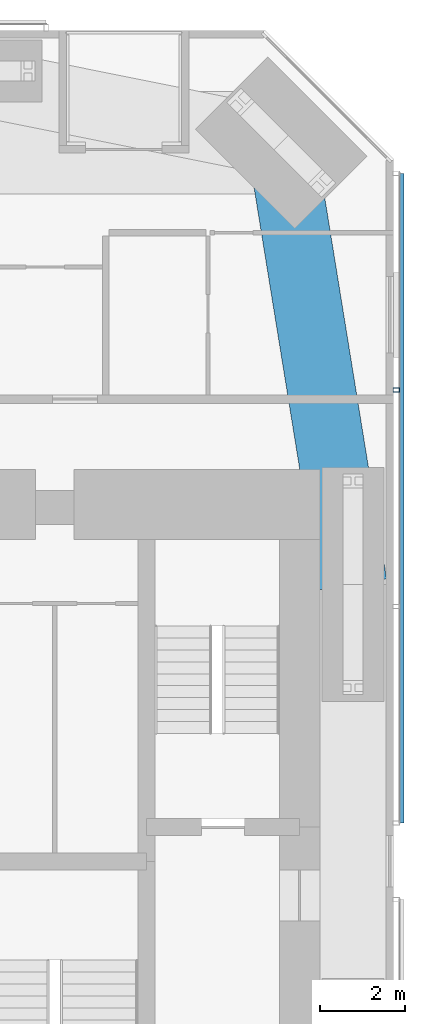
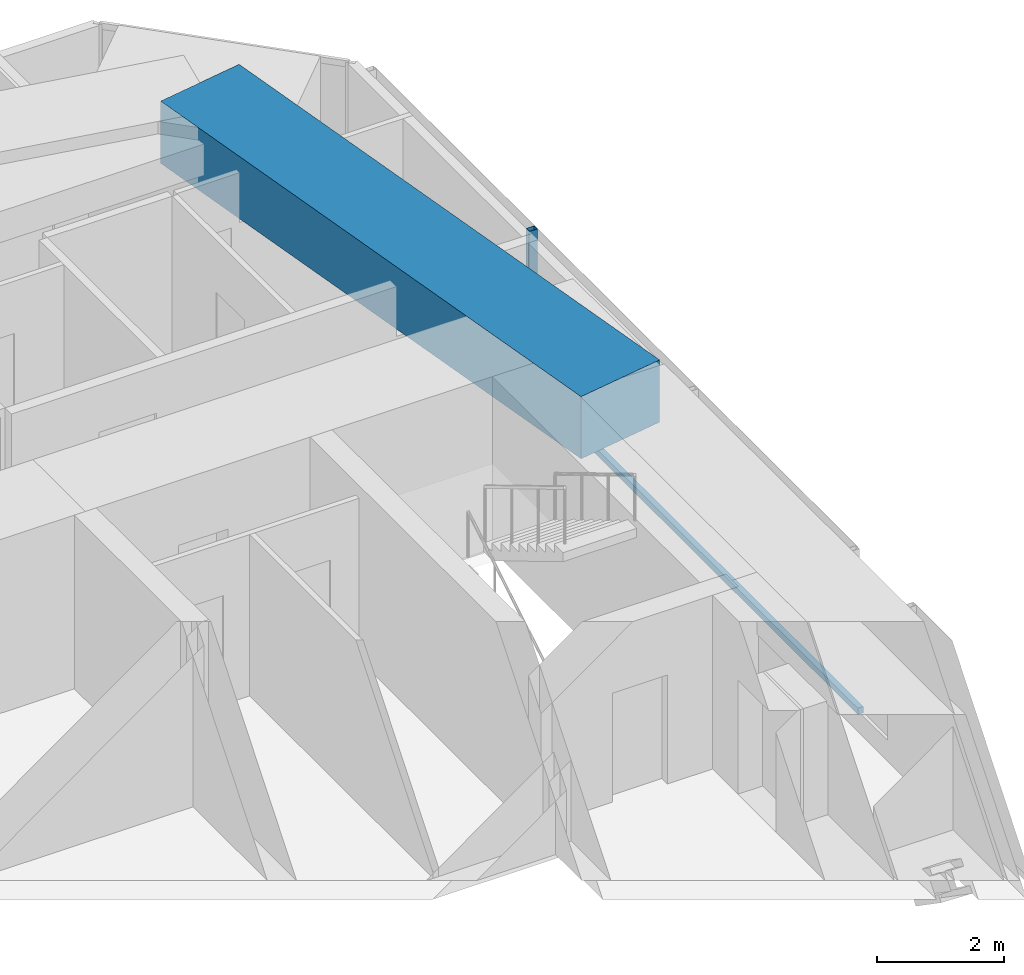
# One storey, part 11 of 24: 2 members, 1 beam, 1 element without a shape of its own.
"""IFC4 building model written with IfcOpenShell, lengths in metres."""

from ifc_helpers import new_model, si_unit, direction, frame, origin, origin_2d, place, context, subcontext, project, spatial, rectangle, hollow_rectangle, extrude, material, material_profile, profile_set, type_object, element, aggregate, save


model = new_model("IFC4")

# Units and contexts
model_context = context("Model", 3, precision=1e-05, world=origin(), true_north=direction((0.0, 1.0)))
body_context = subcontext(model_context, "Body", "Model", "MODEL_VIEW")
ifc_project = project(units=[si_unit("LENGTHUNIT", "METRE"), si_unit("AREAUNIT", "SQUARE_METRE"), si_unit("VOLUMEUNIT", "CUBIC_METRE"), si_unit("PLANEANGLEUNIT", "RADIAN"), si_unit("MASSUNIT", "GRAM", prefix="KILO")], contexts=[model_context])

# Site, building, storey
site_placement = place(None, origin())
site = spatial("IfcSite", under=ifc_project, at=site_placement, CompositionType="ELEMENT")
building_placement = place(site_placement, origin())
building = spatial("IfcBuilding", under=site, at=building_placement, Name="Jalousie Tower", CompositionType="ELEMENT")
storey_placement = place(building_placement, frame((0.0, 0.0, 47.800048828125)))
storey = spatial("IfcBuildingStorey", under=building, at=storey_placement, Name="L12", CompositionType="ELEMENT", Elevation=47.800048828125)

# Beam
ifc_material_1 = material(Name="Concrete f'c 40 MPa", Category="concrete")
ifc_material_profile_1 = material_profile(ifc_material_1, rectangle(XDim=1.60009765625, YDim=1.199951171875, at=origin_2d()), Name="RC 1600x1200")
ifc_profile_set_1 = profile_set([ifc_material_profile_1], Name="Concrete f'c 40 MPa")
beam_type = type_object("IfcBeamType", Name="RC BEAM 1600x1200", PredefinedType="BEAM", material=ifc_profile_set_1)
beam_placement = place(storey_placement, frame((45.050048828125, 25.0, 2.75), z_axis=(-0.160070546476, 0.987105577003, 0.0), x_axis=(-0.987105577003, -0.160070546476, 0.0)))
element("IfcBeam", 1, at=beam_placement, inside=storey, type_object=beam_type, Name="Edge band beam 07-08 under L13", PredefinedType="BEAM", context=body_context, shape_type="SweptSolid", body=[
    extrude(rectangle(XDim=1.60009765625, YDim=1.199951171875, at=origin_2d()), origin(), (0.0, 0.0, 1.0), 10.504150390625),
])

# Curtain wall, members
ifc_material_2 = material(Name="Perforated aluminium sheet", Category="aluminium")
curtain_wall_type = type_object("IfcCurtainWallType", Name="SOLAR SCREEN SS-1", PredefinedType="USERDEFINED", material=ifc_material_2)
curtain_wall_placement = place(storey_placement, origin())
curtain_wall = element("IfcCurtainWall", 2, at=curtain_wall_placement, inside=storey, type_object=curtain_wall_type, Name="Solar screen L12", ObjectType="SOLAR SCREEN SS-1", PredefinedType="USERDEFINED")
ifc_material_3 = material(Name="Steel ASTM A500 Grade C", Category="steel")
ifc_material_profile_2 = material_profile(ifc_material_3, hollow_rectangle(XDim=0.1015625, YDim=0.15234375, WallThickness=0.00634765625, at=origin_2d()), Name="HSS6X4X1/4")
ifc_profile_set_2 = profile_set([ifc_material_profile_2], Name="Steel ASTM A500 Grade C")
member_type_1 = type_object("IfcMemberType", Name="SOLAR SCREEN SS-1 MULLION", PredefinedType="MULLION", material=ifc_profile_set_2)
member_1_placement = place(storey_placement, frame((46.0712890625, 29.56591796875, -0.1201171875), z_axis=(0.0, 0.0, 1.0), x_axis=(0.0, 1.0, 0.0)))
member_1 = element("IfcMember", 3, at=member_1_placement, type_object=member_type_1, Name="SS1 post 3", PredefinedType="MULLION", context=body_context, shape_type="SweptSolid", body=[
    extrude(hollow_rectangle(XDim=0.1015625, YDim=0.15234375, WallThickness=0.00634765625, at=origin_2d()), origin(), (0.0, 0.0, 1.0), 3.22998046875),
])
ifc_material_4 = material(Name="Extruded aluminium screen rail", Category="aluminium")
ifc_material_profile_3 = material_profile(ifc_material_4, rectangle(XDim=0.1015625, YDim=0.1201171875, at=origin_2d()), Name="RAIL 102x120")
ifc_profile_set_3 = profile_set([ifc_material_profile_3], Name="Extruded aluminium screen rail")
member_type_2 = type_object("IfcMemberType", Name="SOLAR SCREEN SS-1 TRANSOM", PredefinedType="USERDEFINED", material=ifc_profile_set_3)
member_2_placement = place(storey_placement, frame((46.1982421875, 19.39990234375, -0.06005859375), z_axis=(0.0, 1.0, 0.0), x_axis=(-1.0, 0.0, 0.0)))
member_2 = element("IfcMember", 4, at=member_2_placement, type_object=member_type_2, Name="SS1 rail", ObjectType="TRANSOM", PredefinedType="USERDEFINED", context=body_context, shape_type="SweptSolid", body=[
    extrude(rectangle(XDim=0.1015625, YDim=0.1201171875, at=origin_2d()), origin(), (0.0, 0.0, 1.0), 15.248779296875),
])
aggregate(curtain_wall, [member_1, member_2])

save(model, "model.ifc")
